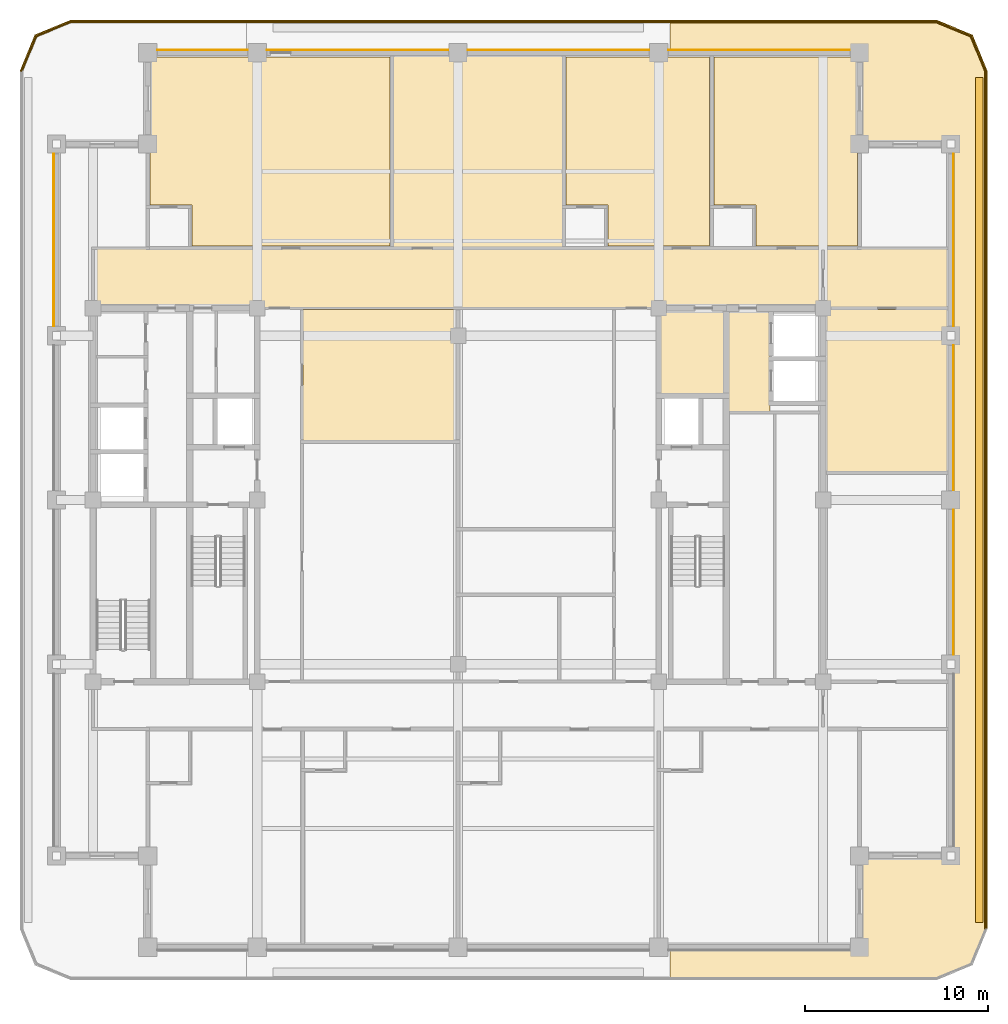
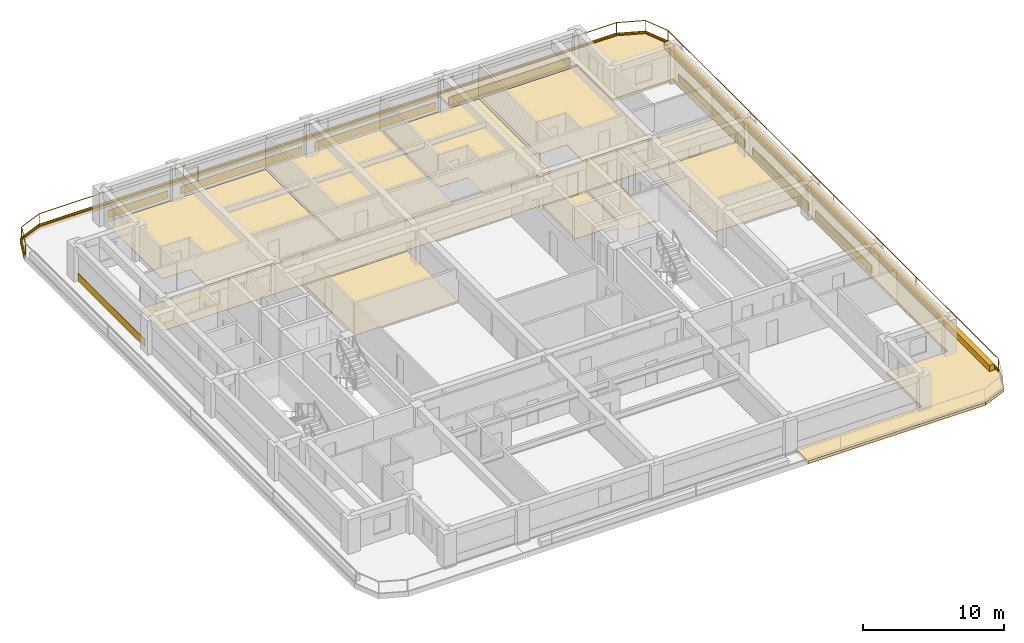
# One storey, part 13 of 13: 26 coverings, 2 railings.
"""IFC4 building model written with IfcOpenShell, lengths in metres."""

from ifc_helpers import new_model, si_unit, direction, frame, frame_2d, origin, origin_2d, place, context, subcontext, project, spatial, polyline, rectangle, outline, extrude, material, layer, layer_set, type_object, element, save


model = new_model("IFC4")

# Units and contexts
model_context = context("Model", 3, precision=1e-05, world=origin(), true_north=direction((0.0, 1.0)))
body_context = subcontext(model_context, "Body", "Model", "MODEL_VIEW")
ifc_project = project(units=[si_unit("LENGTHUNIT", "METRE"), si_unit("AREAUNIT", "SQUARE_METRE"), si_unit("VOLUMEUNIT", "CUBIC_METRE"), si_unit("PLANEANGLEUNIT", "RADIAN"), si_unit("MASSUNIT", "GRAM", prefix="KILO")], contexts=[model_context])

# Site, building, storey
site_placement = place(None, origin())
site = spatial("IfcSite", under=ifc_project, at=site_placement, CompositionType="ELEMENT")
building_placement = place(site_placement, origin())
building = spatial("IfcBuilding", under=site, at=building_placement, Name="Zulmaris Gate Convention Tower", CompositionType="ELEMENT")
storey_placement = place(building_placement, frame((0.0, 0.0, 183.059814453125)))
storey = spatial("IfcBuildingStorey", under=building, at=storey_placement, Name="L47", CompositionType="ELEMENT", Elevation=183.059814453125)

# Coverings
ifc_material_1 = material(Name="Precast concrete C40/50", Category="concrete")
ifc_layer_1 = layer(ifc_material_1, 0.0400390625, Name="Precast concrete C40/50")
ifc_layer_set_1 = layer_set([ifc_layer_1], Name="Precast concrete C40/50")
covering_type_1 = type_object("IfcCoveringType", Name="CLAD-SPANDREL-PRECAST", PredefinedType="CLADDING", material=ifc_layer_set_1)
covering_1_placement = place(storey_placement, frame((-11.530029296875, 24.64990234375, 0.0), z_axis=(0.0, 0.0, 1.0), x_axis=(-1.0, 0.0, 0.0)))
element("IfcCovering", 1, at=covering_1_placement, inside=storey, type_object=covering_type_1, Name="CLD-L47-N-0_0", PredefinedType="CLADDING", context=body_context, shape_type="SweptSolid", body=[
    extrude(rectangle(XDim=4.93994140625, YDim=0.0400390625, at=frame_2d((2.469970703125, 0.0))), origin(), (0.0, 0.0, 1.0), 0.679931640625),
])
for number, where, z_axis, x_axis, name in (
    (2, (-0.530029296875, 24.64990234375, 0.0), (0.0, 0.0, 1.0), (-1.0, 0.0, 0.0), "CLD-L47-N-1_0"),
    (3, (10.469970703125, 24.64990234375, 0.0), (0.0, 0.0, 1.0), (-1.0, 0.0, 0.0), "CLD-L47-N-2_0"),
    (4, (21.469970703125, 24.64990234375, 0.0), (0.0, 0.0, 1.0), (-1.0, 0.0, 0.0), "CLD-L47-N-3_0"),
):
    element("IfcCovering", number, at=place(storey_placement, frame(where, z_axis=z_axis, x_axis=x_axis)), inside=storey, type_object=covering_type_1, Name=name, PredefinedType="CLADDING", context=body_context, shape_type="SweptSolid", body=[
        extrude(rectangle(XDim=9.93994140625, YDim=0.0400390625, at=frame_2d((4.969970703125, 0.0))), origin(), (0.0, 0.0, 1.0), 0.679931640625),
    ])
for number, where, z_axis, x_axis, name in (
    (5, (27.14990234375, -8.469970703125, 0.0), (0.0, 0.0, 1.0), (0.0, 1.0, 0.0), "CLD-L47-E-1_0"),
    (6, (27.14990234375, 0.530029296875, 0.0), (0.0, 0.0, 1.0), (0.0, 1.0, 0.0), "CLD-L47-E-2_0"),
):
    element("IfcCovering", number, at=place(storey_placement, frame(where, z_axis=z_axis, x_axis=x_axis)), inside=storey, type_object=covering_type_1, Name=name, PredefinedType="CLADDING", context=body_context, shape_type="SweptSolid", body=[
        extrude(rectangle(XDim=7.93994140625, YDim=0.0400390625, at=frame_2d((3.969970703125, 0.0))), origin(), (0.0, 0.0, 1.0), 0.679931640625),
    ])
for number, where, z_axis, x_axis, name in (
    (7, (27.14990234375, 9.530029296875, 0.0), (0.0, 0.0, 1.0), (0.0, 1.0, 0.0), "CLD-L47-E-3_0"),
    (8, (-22.14990234375, 18.969970703125, 0.0), (0.0, 0.0, 1.0), (0.0, -1.0, 0.0), "CLD-L47-W-3_0"),
):
    element("IfcCovering", number, at=place(storey_placement, frame(where, z_axis=z_axis, x_axis=x_axis)), inside=storey, type_object=covering_type_1, Name=name, PredefinedType="CLADDING", context=body_context, shape_type="SweptSolid", body=[
        extrude(rectangle(XDim=9.43994140625, YDim=0.0400390625, at=frame_2d((4.719970703125, 0.0))), origin(), (0.0, 0.0, 1.0), 0.679931640625),
    ])
ifc_material_2 = material(Name="White Glazed Architectural Precast Concrete C40/50", Category="concrete")
ifc_layer_2 = layer(ifc_material_2, 0.239990234375, Name="White Glazed Architectural Precast Concrete C40/50")
ifc_layer_set_2 = layer_set([ifc_layer_2], Name="White Glazed Architectural Precast Concrete C40/50")
covering_type_2 = type_object("IfcCoveringType", Name="CLAD-TRAY-DECK", PredefinedType="CLADDING", material=ifc_layer_set_2)
covering_2_placement = place(storey_placement, frame((0.0, 0.0, -0.25)))
element("IfcCovering", 9, at=covering_2_placement, inside=storey, type_object=covering_type_2, Name="L47 East Rounded-Fascia Planter Tray Deck", PredefinedType="CLADDING", context=body_context, shape_type="SweptSolid", body=[
    extrude(outline(polyline([(26.199951171875, 26.300048828125), (28.179931640625, 25.47998046875), (29.0, 23.5), (29.0, -23.5), (28.179931640625, -25.47998046875), (26.199951171875, -26.300048828125), (11.60205078125, -26.300048828125), (11.60205078125, -24.5), (22.0, -24.5), (22.0, -19.5), (27.0, -19.5), (27.0, 19.5), (22.0, 19.5), (22.0, 24.5), (11.60205078125, 24.5), (11.60205078125, 26.300048828125), (26.199951171875, 26.300048828125)])), origin(), (0.0, 0.0, 1.0), 0.239990234375),
])
ifc_layer_3 = layer(ifc_material_2, 0.080078125, Name="White Glazed Architectural Precast Concrete C40/50")
ifc_layer_set_3 = layer_set([ifc_layer_3], Name="White Glazed Architectural Precast Concrete C40/50")
covering_type_3 = type_object("IfcCoveringType", Name="CLAD-TRAY-FASCIA", PredefinedType="CLADDING", material=ifc_layer_set_3)
covering_3_placement = place(storey_placement, frame((28.9599609375, -23.5, -0.2900390625), z_axis=(0.0, 0.0, 1.0), x_axis=(0.0, 1.0, 0.0)))
element("IfcCovering", 10, at=covering_3_placement, inside=storey, type_object=covering_type_3, Name="FSC-L47-TR-05", PredefinedType="CLADDING", context=body_context, shape_type="SweptSolid", body=[
    extrude(rectangle(XDim=47.0, YDim=0.080078125, at=frame_2d((23.5, 0.0))), origin(), (0.0, 0.0, 1.0), 0.43994140625),
])
covering_4_placement = place(storey_placement, frame((28.962890625, 23.484619140625, -0.2900390625), z_axis=(0.0, 0.0, 1.0), x_axis=(-0.382656984709, 0.923890487046, 0.0)))
element("IfcCovering", 11, at=covering_4_placement, inside=storey, type_object=covering_type_3, Name="FSC-L47-TR-06", PredefinedType="CLADDING", context=body_context, shape_type="SweptSolid", body=[
    extrude(rectangle(XDim=2.14306640625, YDim=0.080078125, at=frame_2d((1.071533203125, 0.0))), origin(), (0.0, 0.0, 1.0), 0.43994140625),
])
covering_5_placement = place(storey_placement, frame((28.16455078125, 25.44287109375, -0.2900390625), z_axis=(0.0, 0.0, 1.0), x_axis=(-0.923873803533, 0.382697263049, 0.0)))
element("IfcCovering", 12, at=covering_5_placement, inside=storey, type_object=covering_type_3, Name="FSC-L47-TR-07", PredefinedType="CLADDING", context=body_context, shape_type="SweptSolid", body=[
    extrude(rectangle(XDim=2.142822265625, YDim=0.080078125, at=frame_2d((1.0712890625, 0.0))), origin(), (0.0, 0.0, 1.0), 0.43994140625),
])
covering_6_placement = place(storey_placement, frame((26.199951171875, 26.260009765625, -0.2900390625), z_axis=(0.0, 0.0, 1.0), x_axis=(-1.0, 0.0, 0.0)))
element("IfcCovering", 13, at=covering_6_placement, inside=storey, type_object=covering_type_3, Name="FSC-L47-TR-08", PredefinedType="CLADDING", context=body_context, shape_type="SweptSolid", body=[
    extrude(rectangle(XDim=47.39990234375, YDim=0.080078125, at=frame_2d((23.699951171875, 0.0))), origin(), (0.0, 0.0, 1.0), 0.43994140625),
])
covering_7_placement = place(storey_placement, frame((-21.184814453125, 26.262939453125, -0.2900390625), z_axis=(0.0, 0.0, 1.0), x_axis=(-0.923873803533, -0.382697263049, 0.0)))
element("IfcCovering", 14, at=covering_7_placement, inside=storey, type_object=covering_type_3, Name="FSC-L47-TR-09", PredefinedType="CLADDING", context=body_context, shape_type="SweptSolid", body=[
    extrude(rectangle(XDim=2.142822265625, YDim=0.080078125, at=frame_2d((1.0712890625, 0.0))), origin(), (0.0, 0.0, 1.0), 0.43994140625),
])
covering_8_placement = place(storey_placement, frame((-23.142822265625, 25.464599609375, -0.2900390625), z_axis=(0.0, 0.0, 1.0), x_axis=(-0.382656984709, -0.923890487046, 0.0)))
element("IfcCovering", 15, at=covering_8_placement, inside=storey, type_object=covering_type_3, Name="FSC-L47-TR-10", PredefinedType="CLADDING", context=body_context, shape_type="SweptSolid", body=[
    extrude(rectangle(XDim=2.14306640625, YDim=0.080078125, at=frame_2d((1.071533203125, 0.0))), origin(), (0.0, 0.0, 1.0), 0.43994140625),
])
ifc_material_3 = material(Name="Woven Acoustic Wool Carpet Tile")
ifc_layer_4 = layer(ifc_material_3, 0.02001953125, Name="Woven Acoustic Wool Carpet Tile")
ifc_layer_set_4 = layer_set([ifc_layer_4], Name="Woven Acoustic Wool Carpet Tile")
covering_type_4 = type_object("IfcCoveringType", Name="FLR-CARPET-12", PredefinedType="FLOORING", material=ifc_layer_set_4)
covering_9_placement = place(storey_placement, origin())
element("IfcCovering", 16, at=covering_9_placement, inside=storey, type_object=covering_type_4, Name="FLR-L47-R13", PredefinedType="FLOORING", context=body_context, shape_type="SweptSolid", body=[
    extrude(outline(polyline([(11.06005859375, 5.760009765625), (14.639892578125, 5.760009765625), (14.639892578125, 10.43994140625), (11.06005859375, 10.43994140625), (11.06005859375, 5.760009765625)])), origin(), (0.0, 0.0, 1.0), 0.02001953125),
])
covering_10_placement = place(storey_placement, origin())
element("IfcCovering", 17, at=covering_10_placement, inside=storey, type_object=covering_type_4, Name="FLR-L47-R23", PredefinedType="FLOORING", context=body_context, shape_type="SweptSolid", body=[
    extrude(outline(polyline([(14.760009765625, 4.860107421875), (17.090087890625, 4.860107421875), (17.090087890625, 10.43994140625), (14.760009765625, 10.43994140625), (14.760009765625, 4.860107421875)])), origin(), (0.0, 0.0, 1.0), 0.02001953125),
])
covering_11_placement = place(storey_placement, origin())
element("IfcCovering", 18, at=covering_11_placement, inside=storey, type_object=covering_type_4, Name="FLR-L47-R28", PredefinedType="FLOORING", context=body_context, shape_type="SweptSolid", body=[
    extrude(outline(polyline([(-19.93994140625, 10.56005859375), (19.93994140625, 10.56005859375), (19.93994140625, 13.739990234375), (-19.93994140625, 13.739990234375), (-19.93994140625, 10.56005859375)])), origin(), (0.0, 0.0, 1.0), 0.02001953125),
])
covering_12_placement = place(storey_placement, origin())
element("IfcCovering", 19, at=covering_12_placement, inside=storey, type_object=covering_type_4, Name="FLR-L47-R53", PredefinedType="FLOORING", context=body_context, shape_type="SweptSolid", body=[
    extrude(outline(polyline([(20.06005859375, 10.56005859375), (26.93994140625, 10.56005859375), (26.93994140625, 13.739990234375), (20.06005859375, 13.739990234375), (20.06005859375, 10.56005859375)])), origin(), (0.0, 0.0, 1.0), 0.02001953125),
])
ifc_material_4 = material(Name="Engineered Teak Parquet Flooring")
ifc_layer_5 = layer(ifc_material_4, 0.02001953125, Name="Engineered Teak Parquet Flooring")
ifc_layer_set_5 = layer_set([ifc_layer_5], Name="Engineered Teak Parquet Flooring")
covering_type_5 = type_object("IfcCoveringType", Name="FLR-TIMBER-18", PredefinedType="FLOORING", material=ifc_layer_set_5)
covering_13_placement = place(storey_placement, origin())
element("IfcCovering", 20, at=covering_13_placement, inside=storey, type_object=covering_type_5, Name="FLR-L47-R33", PredefinedType="FLOORING", context=body_context, shape_type="SweptSolid", body=[
    extrude(outline(polyline([(-14.580078125, 13.919921875), (-3.719970703125, 13.919921875), (-3.719970703125, 24.260009765625), (-16.8798828125, 24.260009765625), (-16.8798828125, 16.169921875), (-14.580078125, 16.169921875), (-14.580078125, 13.919921875)])), origin(), (0.0, 0.0, 1.0), 0.02001953125),
])
covering_14_placement = place(storey_placement, origin())
element("IfcCovering", 21, at=covering_14_placement, inside=storey, type_object=covering_type_5, Name="FLR-L47-R34", PredefinedType="FLOORING", context=body_context, shape_type="SweptSolid", body=[
    extrude(outline(polyline([(-3.5400390625, 13.860107421875), (5.739990234375, 13.860107421875), (5.739990234375, 24.43994140625), (-3.5400390625, 24.43994140625), (-3.5400390625, 13.860107421875)])), origin(), (0.0, 0.0, 1.0), 0.02001953125),
])
covering_15_placement = place(storey_placement, origin())
element("IfcCovering", 22, at=covering_15_placement, inside=storey, type_object=covering_type_5, Name="FLR-L47-R36", PredefinedType="FLOORING", context=body_context, shape_type="SweptSolid", body=[
    extrude(outline(polyline([(8.219970703125, 13.919921875), (13.780029296875, 13.919921875), (13.780029296875, 24.260009765625), (5.919921875, 24.260009765625), (5.919921875, 16.169921875), (8.219970703125, 16.169921875), (8.219970703125, 13.919921875)])), origin(), (0.0, 0.0, 1.0), 0.02001953125),
])
covering_16_placement = place(storey_placement, origin())
element("IfcCovering", 23, at=covering_16_placement, inside=storey, type_object=covering_type_5, Name="FLR-L47-R38", PredefinedType="FLOORING", context=body_context, shape_type="SweptSolid", body=[
    extrude(outline(polyline([(16.320068359375, 13.919921875), (21.8798828125, 13.919921875), (21.8798828125, 24.260009765625), (14.02001953125, 24.260009765625), (14.02001953125, 16.169921875), (16.320068359375, 16.169921875), (16.320068359375, 13.919921875)])), origin(), (0.0, 0.0, 1.0), 0.02001953125),
])
covering_17_placement = place(storey_placement, origin())
element("IfcCovering", 24, at=covering_17_placement, inside=storey, type_object=covering_type_5, Name="FLR-L47-R47", PredefinedType="FLOORING", context=body_context, shape_type="SweptSolid", body=[
    extrude(outline(polyline([(-8.489990234375, 3.260009765625), (-0.06005859375, 3.260009765625), (-0.06005859375, 10.43994140625), (-8.489990234375, 10.43994140625), (-8.489990234375, 3.260009765625)])), origin(), (0.0, 0.0, 1.0), 0.02001953125),
])
covering_18_placement = place(storey_placement, origin())
element("IfcCovering", 25, at=covering_18_placement, inside=storey, type_object=covering_type_5, Name="FLR-L47-R55", PredefinedType="FLOORING", context=body_context, shape_type="SweptSolid", body=[
    extrude(outline(polyline([(20.06005859375, 1.56005859375), (26.93994140625, 1.56005859375), (26.93994140625, 10.43994140625), (20.06005859375, 10.43994140625), (20.06005859375, 1.56005859375)])), origin(), (0.0, 0.0, 1.0), 0.02001953125),
])
ifc_material_5 = material(Name="Botanical Green Glazed Precast Concrete C40/50", Category="concrete")
ifc_layer_6 = layer(ifc_material_5, 0.419921875, Name="Botanical Green Glazed Precast Concrete C40/50")
ifc_layer_set_6 = layer_set([ifc_layer_6], Name="Botanical Green Glazed Precast Concrete C40/50")
covering_type_6 = type_object("IfcCoveringType", Name="PLANTER-BOX-200", PredefinedType="CLADDING", material=ifc_layer_set_6)
covering_19_placement = place(storey_placement, frame((0.0, 0.0, -0.010009765625)))
element("IfcCovering", 26, at=covering_19_placement, inside=storey, type_object=covering_type_6, Name="L47 E Full-Length Balcony Tree Planter Trough", PredefinedType="CLADDING", context=body_context, shape_type="SweptSolid", body=[
    extrude(outline(polyline([(28.340087890625, -23.14990234375), (28.760009765625, -23.14990234375), (28.760009765625, 23.14990234375), (28.340087890625, 23.14990234375), (28.340087890625, -23.14990234375)])), origin(), (0.0, 0.0, 1.0), 0.52001953125),
])

# Railings
ifc_material_6 = material(Name="Laminated Glass and Stainless Steel", Category="steel")
railing_type = type_object("IfcRailingType", Name="RL-BALC-1150", PredefinedType="BALUSTRADE", material=ifc_material_6)
railing_1_placement = place(storey_placement, frame((28.8798828125, -23.5, -0.010009765625)))
element("IfcRailing", 27, at=railing_1_placement, inside=storey, type_object=railing_type, Name="RL-L47-BALC-E", PredefinedType="BALUSTRADE", context=body_context, shape_type="SweptSolid", body=[
    extrude(rectangle(XDim=0.048095703125, YDim=0.048095703125, at=origin_2d()), frame((0.0, 0.0, 1.1259765625), z_axis=(0.0, 1.0, 0.0), x_axis=(-1.0, 0.0, 0.0)), (0.0, 0.0, 1.0), 47.0),
    extrude(rectangle(XDim=0.048095703125, YDim=0.048095703125, at=origin_2d()), frame((0.0, 0.0, 0.02392578125), z_axis=(0.0, 1.0, 0.0), x_axis=(-1.0, 0.0, 0.0)), (0.0, 0.0, 1.0), 47.0),
    extrude(rectangle(XDim=0.0419921875, YDim=0.0419921875, at=origin_2d()), origin(), (0.0, 0.0, 1.0), 1.101806640625),
    extrude(rectangle(XDim=0.0419921875, YDim=0.0419921875, at=origin_2d()), frame((0.0, 11.75, 0.0)), (0.0, 0.0, 1.0), 1.101806640625),
    extrude(rectangle(XDim=0.0419921875, YDim=0.0419921875, at=origin_2d()), frame((0.0, 23.5, 0.0)), (0.0, 0.0, 1.0), 1.101806640625),
    extrude(rectangle(XDim=0.0419921875, YDim=0.0419921875, at=origin_2d()), frame((0.0, 35.25, 0.0)), (0.0, 0.0, 1.0), 1.101806640625),
    extrude(rectangle(XDim=0.0419921875, YDim=0.0419921875, at=origin_2d()), frame((0.0, 47.0, 0.0)), (0.0, 0.0, 1.0), 1.101806640625),
])
railing_2_placement = place(storey_placement, frame((28.8798828125, 23.5, -0.010009765625)))
element("IfcRailing", 28, at=railing_2_placement, inside=storey, type_object=railing_type, Name="RL-L47-BALC-N", PredefinedType="BALUSTRADE", context=body_context, shape_type="SweptSolid", body=[
    extrude(rectangle(XDim=0.048095703125, YDim=0.048095703125, at=origin_2d()), frame((0.0, 0.0, 1.1259765625), z_axis=(-0.382670664694, 0.92388482095, 0.0), x_axis=(-0.92388482095, -0.382670664694, 0.0)), (0.0, 0.0, 1.0), 2.051025390625),
    extrude(rectangle(XDim=0.048095703125, YDim=0.048095703125, at=origin_2d()), frame((0.0, 0.0, 0.02392578125), z_axis=(-0.382670664694, 0.92388482095, 0.0), x_axis=(-0.92388482095, -0.382670664694, 0.0)), (0.0, 0.0, 1.0), 2.051025390625),
    extrude(rectangle(XDim=0.048095703125, YDim=0.048095703125, at=origin_2d()), frame((-0.784912109375, 1.89501953125, 1.1259765625), z_axis=(-0.92388482095, 0.382670664694, 0.0), x_axis=(-0.382670664694, -0.92388482095, 0.0)), (0.0, 0.0, 1.0), 2.051025390625),
    extrude(rectangle(XDim=0.048095703125, YDim=0.048095703125, at=origin_2d()), frame((-0.784912109375, 1.89501953125, 0.02392578125), z_axis=(-0.92388482095, 0.382670664694, 0.0), x_axis=(-0.382670664694, -0.92388482095, 0.0)), (0.0, 0.0, 1.0), 2.051025390625),
    extrude(rectangle(XDim=0.048095703125, YDim=0.048095703125, at=origin_2d()), frame((-2.679931640625, 2.679931640625, 1.1259765625), z_axis=(-1.0, 0.0, 0.0), x_axis=(0.0, -1.0, 0.0)), (0.0, 0.0, 1.0), 47.39990234375),
    extrude(rectangle(XDim=0.048095703125, YDim=0.048095703125, at=origin_2d()), frame((-2.679931640625, 2.679931640625, 0.02392578125), z_axis=(-1.0, 0.0, 0.0), x_axis=(0.0, -1.0, 0.0)), (0.0, 0.0, 1.0), 47.39990234375),
    extrude(rectangle(XDim=0.048095703125, YDim=0.048095703125, at=origin_2d()), frame((-50.079833984375, 2.679931640625, 1.1259765625), z_axis=(-0.92388482095, -0.382670664694, 0.0), x_axis=(0.382670664694, -0.92388482095, 0.0)), (0.0, 0.0, 1.0), 2.051025390625),
    extrude(rectangle(XDim=0.048095703125, YDim=0.048095703125, at=origin_2d()), frame((-50.079833984375, 2.679931640625, 0.02392578125), z_axis=(-0.92388482095, -0.382670664694, 0.0), x_axis=(0.382670664694, -0.92388482095, 0.0)), (0.0, 0.0, 1.0), 2.051025390625),
    extrude(rectangle(XDim=0.048095703125, YDim=0.048095703125, at=origin_2d()), frame((-51.974853515625, 1.89501953125, 1.1259765625), z_axis=(-0.382670664694, -0.92388482095, 0.0), x_axis=(0.92388482095, -0.382670664694, 0.0)), (0.0, 0.0, 1.0), 2.051025390625),
    extrude(rectangle(XDim=0.048095703125, YDim=0.048095703125, at=origin_2d()), frame((-51.974853515625, 1.89501953125, 0.02392578125), z_axis=(-0.382670664694, -0.92388482095, 0.0), x_axis=(0.92388482095, -0.382670664694, 0.0)), (0.0, 0.0, 1.0), 2.051025390625),
    extrude(rectangle(XDim=0.0419921875, YDim=0.0419921875, at=origin_2d()), origin(), (0.0, 0.0, 1.0), 1.101806640625),
    extrude(rectangle(XDim=0.0419921875, YDim=0.0419921875, at=origin_2d()), frame((-0.784912109375, 1.89501953125, 0.0)), (0.0, 0.0, 1.0), 1.101806640625),
    extrude(rectangle(XDim=0.0419921875, YDim=0.0419921875, at=origin_2d()), frame((-2.679931640625, 2.679931640625, 0.0)), (0.0, 0.0, 1.0), 1.101806640625),
    extrude(rectangle(XDim=0.0419921875, YDim=0.0419921875, at=origin_2d()), frame((-14.52978515625, 2.679931640625, 0.0)), (0.0, 0.0, 1.0), 1.101806640625),
    extrude(rectangle(XDim=0.0419921875, YDim=0.0419921875, at=origin_2d()), frame((-26.3798828125, 2.679931640625, 0.0)), (0.0, 0.0, 1.0), 1.101806640625),
    extrude(rectangle(XDim=0.0419921875, YDim=0.0419921875, at=origin_2d()), frame((-38.22998046875, 2.679931640625, 0.0)), (0.0, 0.0, 1.0), 1.101806640625),
    extrude(rectangle(XDim=0.0419921875, YDim=0.0419921875, at=origin_2d()), frame((-50.079833984375, 2.679931640625, 0.0)), (0.0, 0.0, 1.0), 1.101806640625),
    extrude(rectangle(XDim=0.0419921875, YDim=0.0419921875, at=origin_2d()), frame((-51.974853515625, 1.89501953125, 0.0)), (0.0, 0.0, 1.0), 1.101806640625),
    extrude(rectangle(XDim=0.0419921875, YDim=0.0419921875, at=origin_2d()), frame((-52.759765625, 0.0, 0.0)), (0.0, 0.0, 1.0), 1.101806640625),
])

save(model, "model.ifc")
